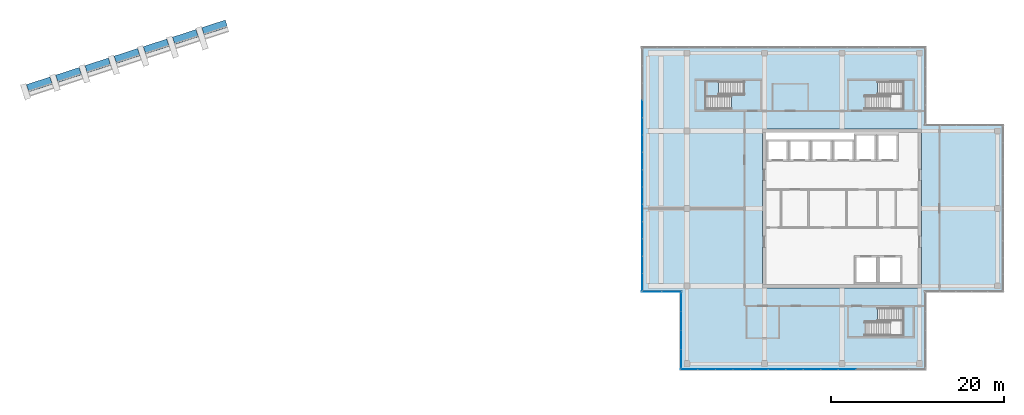
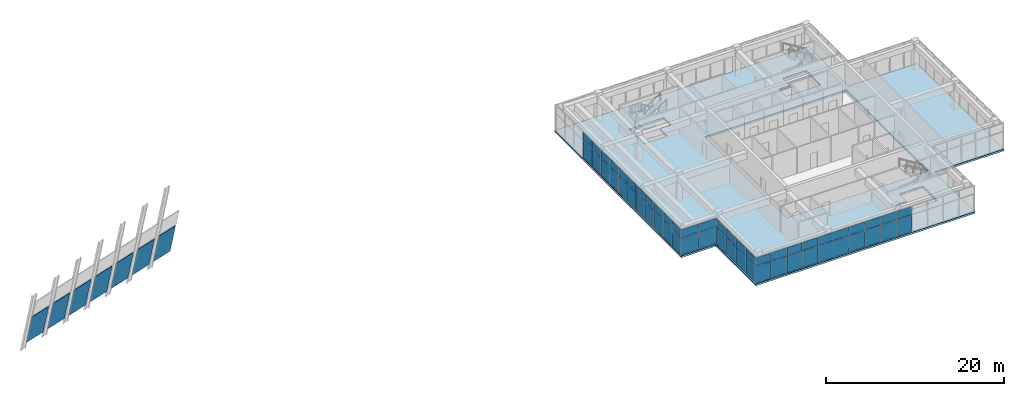
# One storey, part 26 of 32: 61 plates, 2 slabs, 5 elements without a shape of their own.
"""IFC4 building model written with IfcOpenShell, lengths in metres."""

import ifcopenshell
import ifcopenshell.guid

model = None  # the IFC model being written
_history = None  # IfcOwnerHistory: only IFC2X3 demands one
_inside = {}  # id of a spatial element -> (the spatial element, [elements in it])
_under = {}  # id of a project, library or spatial element -> (it, [spatial elements below it])
_declared = {}  # id of a project -> (the project, [libraries it declares])
_typed = {}  # id of a type object -> (the type object, [elements of that type])
_made_of = {}  # id of a material, layer set ... -> (it, [elements and type objects made of it])


def new_model(schema):
    """Start an empty IFC model of exactly this schema.

    Asked for "IFC4X3", IfcOpenShell would pick the latest addendum, in which some entities
    have other attributes; the version numbers below select the first issue.
    IFC2X3 requires an IfcOwnerHistory on every rooted entity: one is made here for all.
    """
    global model, _history
    if schema == "IFC4X3":
        model = ifcopenshell.file(schema_version=(4, 3, 0, 0))
    else:
        model = ifcopenshell.file(schema=schema)
    _inside.clear()
    _under.clear()
    _declared.clear()
    _typed.clear()
    _made_of.clear()
    _history = None
    if model.schema == "IFC2X3":
        org = make("IfcOrganization", Name="unknown")
        user = make(
            "IfcPersonAndOrganization",
            ThePerson=make("IfcPerson", FamilyName="unknown"),
            TheOrganization=org,
        )
        app = make(
            "IfcApplication",
            ApplicationDeveloper=org,
            Version="unknown",
            ApplicationFullName="unknown",
            ApplicationIdentifier="unknown",
        )
        _history = make(
            "IfcOwnerHistory",
            OwningUser=user,
            OwningApplication=app,
            ChangeAction="ADDED",
            CreationDate=0,
        )
    return model


def make(cls, **values):
    """One entity of the class cls with the attributes given. An attribute that is None is left unset."""
    return model.create_entity(
        cls, **{name: value for name, value in values.items() if value is not None}
    )


def rooted(cls, **values):
    """An entity with a GlobalId (a new one), such as an element, a storey or a relation."""
    return make(cls, GlobalId=ifcopenshell.guid.new(), OwnerHistory=_history, **values)


def si_unit(unit_type, name, prefix=None):
    """IfcSIUnit, for example si_unit("LENGTHUNIT", "METRE", prefix="MILLI")."""
    return make("IfcSIUnit", UnitType=unit_type, Prefix=prefix, Name=name)


def assignment(units):
    """IfcUnitAssignment: the units of a project."""
    return None if units is None else make("IfcUnitAssignment", Units=units)


def point(xyz):
    """IfcCartesianPoint."""
    return None if xyz is None else make("IfcCartesianPoint", Coordinates=xyz)


def direction(xyz):
    """IfcDirection."""
    return None if xyz is None else make("IfcDirection", DirectionRatios=xyz)


def frame(location, z_axis=None, x_axis=None):
    """IfcAxis2Placement3D, a coordinate frame: its origin and axes. An axis left out is left unset."""
    return make(
        "IfcAxis2Placement3D",
        Location=point(location),
        Axis=direction(z_axis),
        RefDirection=direction(x_axis),
    )


def frame_2d(location, x_axis=None):
    """IfcAxis2Placement2D, a coordinate frame in the plane: its origin and x axis."""
    return make(
        "IfcAxis2Placement2D", Location=point(location), RefDirection=direction(x_axis)
    )


def origin():
    """The frame at (0, 0, 0) with its axes left unset."""
    return frame((0.0, 0.0, 0.0))


def origin_2d():
    """The frame at (0, 0) in the plane with its x axis left unset."""
    return frame_2d((0.0, 0.0))


def place(relative_to, where):
    """IfcLocalPlacement: puts the frame where relative to a parent placement (None: the world)."""
    return make(
        "IfcLocalPlacement", PlacementRelTo=relative_to, RelativePlacement=where
    )


def context(
    kind, dimensions, precision=None, world=None, true_north=None, identifier=None
):
    """IfcGeometricRepresentationContext, for example the 3D "Model" context."""
    return make(
        "IfcGeometricRepresentationContext",
        ContextIdentifier=identifier,
        ContextType=kind,
        CoordinateSpaceDimension=dimensions,
        Precision=precision,
        WorldCoordinateSystem=world,
        TrueNorth=true_north,
    )


def subcontext(parent, identifier, kind, view, scale=None):
    """IfcGeometricRepresentationSubContext, for example "Body" below "Model"."""
    return make(
        "IfcGeometricRepresentationSubContext",
        ContextIdentifier=identifier,
        ContextType=kind,
        ParentContext=parent,
        TargetScale=scale,
        TargetView=view,
    )


def project(units=None, contexts=None):
    """IfcProject with its units and contexts."""
    return rooted(
        "IfcProject",
        Name="project",
        RepresentationContexts=contexts,
        UnitsInContext=assignment(units),
    )


def spatial(cls, under=None, at=None, **own):
    """A site, building, storey or space (cls), placed at a placement, below another one or the project."""
    s = rooted(cls, ObjectPlacement=at, **own)
    if under is not None:
        _under.setdefault(under.id(), (under, []))[1].append(s)
    return s


def polyline(points):
    """IfcPolyline through the points."""
    return make("IfcPolyline", Points=[point(p) for p in points])


def profile(cls, at=None, kind="AREA", **sizes):
    """A parametric profile (cls). Its sizes go by their IFC names, for example OverallWidth=200.0."""
    return make(cls, ProfileType=kind, Position=at, **sizes)


def rectangle(**sizes):
    """IfcRectangleProfileDef."""
    return profile("IfcRectangleProfileDef", **sizes)


def outline(outer, holes=None, kind="AREA"):
    """IfcArbitraryClosedProfileDef: a profile drawn as a closed curve; with holes, ...WithVoids."""
    if holes is None:
        return make("IfcArbitraryClosedProfileDef", ProfileType=kind, OuterCurve=outer)
    return make(
        "IfcArbitraryProfileDefWithVoids",
        ProfileType=kind,
        OuterCurve=outer,
        InnerCurves=holes,
    )


def extrude(swept, where, along, depth):
    """IfcExtrudedAreaSolid: the profile swept, set in the frame where, extruded along a direction by depth."""
    return make(
        "IfcExtrudedAreaSolid",
        SweptArea=swept,
        Position=where,
        ExtrudedDirection=direction(along),
        Depth=depth,
    )


def shape(context_of_items, identifier, shape_type, items):
    """IfcShapeRepresentation: the items that make up one representation, for example the "Body"."""
    return make(
        "IfcShapeRepresentation",
        ContextOfItems=context_of_items,
        RepresentationIdentifier=identifier,
        RepresentationType=shape_type,
        Items=items,
    )


def material(Name=None, Category=None):
    """IfcMaterial."""
    return make("IfcMaterial", Name=Name, Category=Category)


def layer(
    of_material, thickness, ventilated=None, Name=None, Category=None, Priority=None
):
    """IfcMaterialLayer: one layer of a wall or slab, of a material (None: an air gap)."""
    return make(
        "IfcMaterialLayer",
        Material=of_material,
        LayerThickness=thickness,
        IsVentilated=ventilated,
        Name=Name,
        Category=Category,
        Priority=Priority,
    )


def layer_set(layers, Name=None):
    """IfcMaterialLayerSet."""
    return make("IfcMaterialLayerSet", MaterialLayers=layers, LayerSetName=Name)


def made_of(thing, what):
    """Note that an element or type object is made of a material, layer set ...; save() writes the relation."""
    if what is not None:
        _made_of.setdefault(what.id(), (what, []))[1].append(thing)
    return thing


def type_object(cls, material=None, **own):
    """A type object (cls), such as IfcWallType, which elements share."""
    return made_of(rooted(cls, **own), material)


def element(
    cls,
    number,
    at=None,
    inside=None,
    cuts=None,
    type_object=None,
    material=None,
    context=None,
    identifier="Body",
    shape_type=None,
    held_by="IfcProductDefinitionShape",
    body=None,
    shapes=None,
    **own,
):
    """One element of the class cls, such as IfcWall. Its Tag is "e" and its number.

    at: its placement. inside: the storey or other place that contains it. cuts: it is an
    opening in that element (IfcRelVoidsElement). A single representation is given by context,
    identifier, shape_type and body (its items); several are given by shapes. held_by: the class
    of the entity that holds the representations. save() writes the other relations.
    """
    e = rooted(cls, Tag="e%d" % number, ObjectPlacement=at, **own)
    if body is not None:
        shapes = [shape(context, identifier, shape_type, body)]
    if shapes is not None:
        e.Representation = make(held_by, Representations=shapes)
    if inside is not None:
        _inside.setdefault(inside.id(), (inside, []))[1].append(e)
    if cuts is not None:
        rooted(
            "IfcRelVoidsElement", RelatingBuildingElement=cuts, RelatedOpeningElement=e
        )
    if type_object is not None:
        _typed.setdefault(type_object.id(), (type_object, []))[1].append(e)
    return made_of(e, material)


def aggregate(whole, parts):
    """IfcRelAggregates: a whole, such as a stair, and the parts it consists of."""
    return rooted("IfcRelAggregates", RelatingObject=whole, RelatedObjects=parts)


def save(model, path):
    """Write the relations noted so far, then the file.

    IfcRelAggregates (storeys below a building ...), IfcRelContainedInSpatialStructure (elements
    in a storey), IfcRelDefinesByType, IfcRelAssociatesMaterial and IfcRelDeclares: one each for
    every whole, place, type object, material and project.
    """
    for whole, parts in _under.values():
        aggregate(whole, parts)
    for where, things in _inside.values():
        rooted(
            "IfcRelContainedInSpatialStructure",
            RelatedElements=things,
            RelatingStructure=where,
        )
    for kind, things in _typed.values():
        rooted("IfcRelDefinesByType", RelatedObjects=things, RelatingType=kind)
    for what, things in _made_of.values():
        rooted("IfcRelAssociatesMaterial", RelatedObjects=things, RelatingMaterial=what)
    for by, libraries in _declared.values():
        rooted("IfcRelDeclares", RelatingContext=by, RelatedDefinitions=libraries)
    model.write(path)


model = new_model("IFC4")

# Units and contexts
model_context = context("Model", 3, precision=1e-05, world=origin(), true_north=direction((0.0, 1.0)))
body_context = subcontext(model_context, "Body", "Model", "MODEL_VIEW")
ifc_project = project(units=[si_unit("LENGTHUNIT", "METRE"), si_unit("AREAUNIT", "SQUARE_METRE"), si_unit("VOLUMEUNIT", "CUBIC_METRE"), si_unit("PLANEANGLEUNIT", "RADIAN"), si_unit("MASSUNIT", "GRAM", prefix="KILO")], contexts=[model_context])

# Site, building, storey
site_placement = place(None, origin())
site = spatial("IfcSite", under=ifc_project, at=site_placement, CompositionType="ELEMENT")
building_placement = place(site_placement, origin())
building = spatial("IfcBuilding", under=site, at=building_placement, Name="Tuart Plaza Theatre", CompositionType="ELEMENT")
storey_placement = place(building_placement, frame((0.0, 0.0, 37.5)))
storey = spatial("IfcBuildingStorey", under=building, at=storey_placement, Name="L09", CompositionType="ELEMENT", Elevation=37.5)

# Curtain wall, plates
ifc_material_1 = material(Name="Aluminium and glass", Category="aluminium")
ifc_layer_1 = layer(ifc_material_1, 0.10009765625)
ifc_layer_set_1 = layer_set([ifc_layer_1], Name="CURTAIN WALL 2000 module")
curtain_wall_type = type_object("IfcCurtainWallType", Name="CURTAIN WALL 2000 module", PredefinedType="NOTDEFINED", material=ifc_layer_set_1)
curtain_wall_1_placement = place(storey_placement, origin())
curtain_wall_1 = element("IfcCurtainWall", 1, at=curtain_wall_1_placement, inside=storey, type_object=curtain_wall_type, Name="CW88", PredefinedType="NOTDEFINED")
ifc_material_2 = material(Name="Glass", Category="glass")
ifc_layer_2 = layer(ifc_material_2, 0.028076171875)
ifc_layer_set_2 = layer_set([ifc_layer_2], Name="CURTAIN PANEL double glazed 28")
plate_type_1 = type_object("IfcPlateType", Name="CURTAIN PANEL double glazed 28", PredefinedType="CURTAIN_PANEL", material=ifc_layer_set_2)
plate_1_placement = place(storey_placement, frame((114.2802734375, 55.35009765625, 0.0498046875), z_axis=(0.0, 0.0, 1.0), x_axis=(1.0, 0.0, 0.0)))
plate_1 = element("IfcPlate", 2, at=plate_1_placement, type_object=plate_type_1, Name="CW88 panel 1.1", PredefinedType="CURTAIN_PANEL", context=body_context, shape_type="SweptSolid", body=[
    extrude(rectangle(XDim=1.960693359375, YDim=0.028076171875, at=origin_2d()), origin(), (0.0, 0.0, 1.0), 2.324951171875),
])
plate_2_placement = place(storey_placement, frame((114.2802734375, 55.35009765625, 2.425048828125), z_axis=(0.0, 0.0, 1.0), x_axis=(1.0, 0.0, 0.0)))
plate_2 = element("IfcPlate", 3, at=plate_2_placement, type_object=plate_type_1, Name="CW88 panel 1.2", PredefinedType="CURTAIN_PANEL", context=body_context, shape_type="SweptSolid", body=[
    extrude(rectangle(XDim=1.960693359375, YDim=0.028076171875, at=origin_2d()), origin(), (0.0, 0.0, 1.0), 1.10498046875),
])
plate_3_placement = place(storey_placement, frame((116.303466796875, 55.35009765625, 0.0498046875), z_axis=(0.0, 0.0, 1.0), x_axis=(1.0, 0.0, 0.0)))
plate_3 = element("IfcPlate", 4, at=plate_3_placement, type_object=plate_type_1, Name="CW88 panel 2.1", PredefinedType="CURTAIN_PANEL", context=body_context, shape_type="SweptSolid", body=[
    extrude(rectangle(XDim=1.985595703125, YDim=0.028076171875, at=origin_2d()), origin(), (0.0, 0.0, 1.0), 2.324951171875),
])
plate_4_placement = place(storey_placement, frame((116.303466796875, 55.35009765625, 2.425048828125), z_axis=(0.0, 0.0, 1.0), x_axis=(1.0, 0.0, 0.0)))
plate_4 = element("IfcPlate", 5, at=plate_4_placement, type_object=plate_type_1, Name="CW88 panel 2.2", PredefinedType="CURTAIN_PANEL", context=body_context, shape_type="SweptSolid", body=[
    extrude(rectangle(XDim=1.985595703125, YDim=0.028076171875, at=origin_2d()), origin(), (0.0, 0.0, 1.0), 1.10498046875),
])
plate_5_placement = place(storey_placement, frame((118.33935546875, 55.35009765625, 0.0498046875), z_axis=(0.0, 0.0, 1.0), x_axis=(1.0, 0.0, 0.0)))
plate_5 = element("IfcPlate", 6, at=plate_5_placement, type_object=plate_type_1, Name="CW88 panel 3.1", PredefinedType="CURTAIN_PANEL", context=body_context, shape_type="SweptSolid", body=[
    extrude(rectangle(XDim=1.985595703125, YDim=0.028076171875, at=origin_2d()), origin(), (0.0, 0.0, 1.0), 2.324951171875),
])
plate_6_placement = place(storey_placement, frame((118.33935546875, 55.35009765625, 2.425048828125), z_axis=(0.0, 0.0, 1.0), x_axis=(1.0, 0.0, 0.0)))
plate_6 = element("IfcPlate", 7, at=plate_6_placement, type_object=plate_type_1, Name="CW88 panel 3.2", PredefinedType="CURTAIN_PANEL", context=body_context, shape_type="SweptSolid", body=[
    extrude(rectangle(XDim=1.985595703125, YDim=0.028076171875, at=origin_2d()), origin(), (0.0, 0.0, 1.0), 1.10498046875),
])
plate_7_placement = place(storey_placement, frame((120.375, 55.35009765625, 0.0498046875), z_axis=(0.0, 0.0, 1.0), x_axis=(1.0, 0.0, 0.0)))
plate_7 = element("IfcPlate", 8, at=plate_7_placement, type_object=plate_type_1, Name="CW88 panel 4.1", PredefinedType="CURTAIN_PANEL", context=body_context, shape_type="SweptSolid", body=[
    extrude(rectangle(XDim=1.985595703125, YDim=0.028076171875, at=origin_2d()), origin(), (0.0, 0.0, 1.0), 2.324951171875),
])
plate_8_placement = place(storey_placement, frame((120.375, 55.35009765625, 2.425048828125), z_axis=(0.0, 0.0, 1.0), x_axis=(1.0, 0.0, 0.0)))
plate_8 = element("IfcPlate", 9, at=plate_8_placement, type_object=plate_type_1, Name="CW88 panel 4.2", PredefinedType="CURTAIN_PANEL", context=body_context, shape_type="SweptSolid", body=[
    extrude(rectangle(XDim=1.985595703125, YDim=0.028076171875, at=origin_2d()), origin(), (0.0, 0.0, 1.0), 1.10498046875),
])
plate_9_placement = place(storey_placement, frame((122.41064453125, 55.35009765625, 0.0498046875), z_axis=(0.0, 0.0, 1.0), x_axis=(1.0, 0.0, 0.0)))
plate_9 = element("IfcPlate", 10, at=plate_9_placement, type_object=plate_type_1, Name="CW88 panel 5.1", PredefinedType="CURTAIN_PANEL", context=body_context, shape_type="SweptSolid", body=[
    extrude(rectangle(XDim=1.985595703125, YDim=0.028076171875, at=origin_2d()), origin(), (0.0, 0.0, 1.0), 2.324951171875),
])
plate_10_placement = place(storey_placement, frame((122.41064453125, 55.35009765625, 2.425048828125), z_axis=(0.0, 0.0, 1.0), x_axis=(1.0, 0.0, 0.0)))
plate_10 = element("IfcPlate", 11, at=plate_10_placement, type_object=plate_type_1, Name="CW88 panel 5.2", PredefinedType="CURTAIN_PANEL", context=body_context, shape_type="SweptSolid", body=[
    extrude(rectangle(XDim=1.985595703125, YDim=0.028076171875, at=origin_2d()), origin(), (0.0, 0.0, 1.0), 1.10498046875),
])
plate_11_placement = place(storey_placement, frame((124.446533203125, 55.35009765625, 0.0498046875), z_axis=(0.0, 0.0, 1.0), x_axis=(1.0, 0.0, 0.0)))
plate_11 = element("IfcPlate", 12, at=plate_11_placement, type_object=plate_type_1, Name="CW88 panel 6.1", PredefinedType="CURTAIN_PANEL", context=body_context, shape_type="SweptSolid", body=[
    extrude(rectangle(XDim=1.985595703125, YDim=0.028076171875, at=origin_2d()), origin(), (0.0, 0.0, 1.0), 2.324951171875),
])
plate_12_placement = place(storey_placement, frame((124.446533203125, 55.35009765625, 2.425048828125), z_axis=(0.0, 0.0, 1.0), x_axis=(1.0, 0.0, 0.0)))
plate_12 = element("IfcPlate", 13, at=plate_12_placement, type_object=plate_type_1, Name="CW88 panel 6.2", PredefinedType="CURTAIN_PANEL", context=body_context, shape_type="SweptSolid", body=[
    extrude(rectangle(XDim=1.985595703125, YDim=0.028076171875, at=origin_2d()), origin(), (0.0, 0.0, 1.0), 1.10498046875),
])
plate_13_placement = place(storey_placement, frame((126.482177734375, 55.35009765625, 0.0498046875), z_axis=(0.0, 0.0, 1.0), x_axis=(1.0, 0.0, 0.0)))
plate_13 = element("IfcPlate", 14, at=plate_13_placement, type_object=plate_type_1, Name="CW88 panel 7.1", PredefinedType="CURTAIN_PANEL", context=body_context, shape_type="SweptSolid", body=[
    extrude(rectangle(XDim=1.985595703125, YDim=0.028076171875, at=origin_2d()), origin(), (0.0, 0.0, 1.0), 2.324951171875),
])
plate_14_placement = place(storey_placement, frame((126.482177734375, 55.35009765625, 2.425048828125), z_axis=(0.0, 0.0, 1.0), x_axis=(1.0, 0.0, 0.0)))
plate_14 = element("IfcPlate", 15, at=plate_14_placement, type_object=plate_type_1, Name="CW88 panel 7.2", PredefinedType="CURTAIN_PANEL", context=body_context, shape_type="SweptSolid", body=[
    extrude(rectangle(XDim=1.985595703125, YDim=0.028076171875, at=origin_2d()), origin(), (0.0, 0.0, 1.0), 1.10498046875),
])
plate_15_placement = place(storey_placement, frame((128.517822265625, 55.35009765625, 0.0498046875), z_axis=(0.0, 0.0, 1.0), x_axis=(1.0, 0.0, 0.0)))
plate_15 = element("IfcPlate", 16, at=plate_15_placement, type_object=plate_type_1, Name="CW88 panel 8.1", PredefinedType="CURTAIN_PANEL", context=body_context, shape_type="SweptSolid", body=[
    extrude(rectangle(XDim=1.985595703125, YDim=0.028076171875, at=origin_2d()), origin(), (0.0, 0.0, 1.0), 2.324951171875),
])
plate_16_placement = place(storey_placement, frame((128.517822265625, 55.35009765625, 2.425048828125), z_axis=(0.0, 0.0, 1.0), x_axis=(1.0, 0.0, 0.0)))
plate_16 = element("IfcPlate", 17, at=plate_16_placement, type_object=plate_type_1, Name="CW88 panel 8.2", PredefinedType="CURTAIN_PANEL", context=body_context, shape_type="SweptSolid", body=[
    extrude(rectangle(XDim=1.985595703125, YDim=0.028076171875, at=origin_2d()), origin(), (0.0, 0.0, 1.0), 1.10498046875),
])
plate_17_placement = place(storey_placement, frame((130.553466796875, 55.35009765625, 0.0498046875), z_axis=(0.0, 0.0, 1.0), x_axis=(1.0, 0.0, 0.0)))
plate_17 = element("IfcPlate", 18, at=plate_17_placement, type_object=plate_type_1, Name="CW88 panel 9.1", PredefinedType="CURTAIN_PANEL", context=body_context, shape_type="SweptSolid", body=[
    extrude(rectangle(XDim=1.985595703125, YDim=0.028076171875, at=origin_2d()), origin(), (0.0, 0.0, 1.0), 2.324951171875),
])
plate_18_placement = place(storey_placement, frame((130.553466796875, 55.35009765625, 2.425048828125), z_axis=(0.0, 0.0, 1.0), x_axis=(1.0, 0.0, 0.0)))
plate_18 = element("IfcPlate", 19, at=plate_18_placement, type_object=plate_type_1, Name="CW88 panel 9.2", PredefinedType="CURTAIN_PANEL", context=body_context, shape_type="SweptSolid", body=[
    extrude(rectangle(XDim=1.985595703125, YDim=0.028076171875, at=origin_2d()), origin(), (0.0, 0.0, 1.0), 1.10498046875),
])
plate_19_placement = place(storey_placement, frame((132.58935546875, 55.35009765625, 0.0498046875), z_axis=(0.0, 0.0, 1.0), x_axis=(1.0, 0.0, 0.0)))
plate_19 = element("IfcPlate", 20, at=plate_19_placement, type_object=plate_type_1, Name="CW88 panel 10.1", PredefinedType="CURTAIN_PANEL", context=body_context, shape_type="SweptSolid", body=[
    extrude(rectangle(XDim=1.985595703125, YDim=0.028076171875, at=origin_2d()), origin(), (0.0, 0.0, 1.0), 2.324951171875),
])
plate_20_placement = place(storey_placement, frame((132.58935546875, 55.35009765625, 2.425048828125), z_axis=(0.0, 0.0, 1.0), x_axis=(1.0, 0.0, 0.0)))
plate_20 = element("IfcPlate", 21, at=plate_20_placement, type_object=plate_type_1, Name="CW88 panel 10.2", PredefinedType="CURTAIN_PANEL", context=body_context, shape_type="SweptSolid", body=[
    extrude(rectangle(XDim=1.985595703125, YDim=0.028076171875, at=origin_2d()), origin(), (0.0, 0.0, 1.0), 1.10498046875),
])
aggregate(curtain_wall_1, [plate_1, plate_2, plate_3, plate_4, plate_5, plate_6, plate_7, plate_8, plate_9, plate_10, plate_11, plate_12, plate_13, plate_14, plate_15, plate_16, plate_17, plate_18, plate_19, plate_20])

curtain_wall_2_placement = place(storey_placement, origin())
curtain_wall_2 = element("IfcCurtainWall", 22, at=curtain_wall_2_placement, inside=storey, type_object=curtain_wall_type, Name="CW97", PredefinedType="NOTDEFINED")
plate_21_placement = place(storey_placement, frame((108.85009765625, 85.52490234375, 0.0498046875), z_axis=(0.0, 0.0, 1.0), x_axis=(0.0, -1.0, 0.0)))
plate_21 = element("IfcPlate", 23, at=plate_21_placement, type_object=plate_type_1, Name="CW97 panel 4.1", PredefinedType="CURTAIN_PANEL", context=body_context, shape_type="SweptSolid", body=[
    extrude(rectangle(XDim=1.95703125, YDim=0.028076171875, at=origin_2d()), origin(), (0.0, 0.0, 1.0), 2.324951171875),
])
plate_22_placement = place(storey_placement, frame((108.85009765625, 85.52490234375, 2.425048828125), z_axis=(0.0, 0.0, 1.0), x_axis=(0.0, -1.0, 0.0)))
plate_22 = element("IfcPlate", 24, at=plate_22_placement, type_object=plate_type_1, Name="CW97 panel 4.2", PredefinedType="CURTAIN_PANEL", context=body_context, shape_type="SweptSolid", body=[
    extrude(rectangle(XDim=1.95703125, YDim=0.028076171875, at=origin_2d()), origin(), (0.0, 0.0, 1.0), 1.10498046875),
])
plate_23_placement = place(storey_placement, frame((108.85009765625, 83.517822265625, 0.0498046875), z_axis=(0.0, 0.0, 1.0), x_axis=(0.0, -1.0, 0.0)))
plate_23 = element("IfcPlate", 25, at=plate_23_placement, type_object=plate_type_1, Name="CW97 panel 5.1", PredefinedType="CURTAIN_PANEL", context=body_context, shape_type="SweptSolid", body=[
    extrude(rectangle(XDim=1.95703125, YDim=0.028076171875, at=origin_2d()), origin(), (0.0, 0.0, 1.0), 2.324951171875),
])
plate_24_placement = place(storey_placement, frame((108.85009765625, 83.517822265625, 2.425048828125), z_axis=(0.0, 0.0, 1.0), x_axis=(0.0, -1.0, 0.0)))
plate_24 = element("IfcPlate", 26, at=plate_24_placement, type_object=plate_type_1, Name="CW97 panel 5.2", PredefinedType="CURTAIN_PANEL", context=body_context, shape_type="SweptSolid", body=[
    extrude(rectangle(XDim=1.95703125, YDim=0.028076171875, at=origin_2d()), origin(), (0.0, 0.0, 1.0), 1.10498046875),
])
plate_25_placement = place(storey_placement, frame((108.85009765625, 81.5107421875, 0.0498046875), z_axis=(0.0, 0.0, 1.0), x_axis=(0.0, -1.0, 0.0)))
plate_25 = element("IfcPlate", 27, at=plate_25_placement, type_object=plate_type_1, Name="CW97 panel 6.1", PredefinedType="CURTAIN_PANEL", context=body_context, shape_type="SweptSolid", body=[
    extrude(rectangle(XDim=1.95703125, YDim=0.028076171875, at=origin_2d()), origin(), (0.0, 0.0, 1.0), 2.324951171875),
])
plate_26_placement = place(storey_placement, frame((108.85009765625, 81.5107421875, 2.425048828125), z_axis=(0.0, 0.0, 1.0), x_axis=(0.0, -1.0, 0.0)))
plate_26 = element("IfcPlate", 28, at=plate_26_placement, type_object=plate_type_1, Name="CW97 panel 6.2", PredefinedType="CURTAIN_PANEL", context=body_context, shape_type="SweptSolid", body=[
    extrude(rectangle(XDim=1.95703125, YDim=0.028076171875, at=origin_2d()), origin(), (0.0, 0.0, 1.0), 1.10498046875),
])
plate_27_placement = place(storey_placement, frame((108.85009765625, 79.503662109375, 0.0498046875), z_axis=(0.0, 0.0, 1.0), x_axis=(0.0, -1.0, 0.0)))
plate_27 = element("IfcPlate", 29, at=plate_27_placement, type_object=plate_type_1, Name="CW97 panel 7.1", PredefinedType="CURTAIN_PANEL", context=body_context, shape_type="SweptSolid", body=[
    extrude(rectangle(XDim=1.95703125, YDim=0.028076171875, at=origin_2d()), origin(), (0.0, 0.0, 1.0), 2.324951171875),
])
plate_28_placement = place(storey_placement, frame((108.85009765625, 79.503662109375, 2.425048828125), z_axis=(0.0, 0.0, 1.0), x_axis=(0.0, -1.0, 0.0)))
plate_28 = element("IfcPlate", 30, at=plate_28_placement, type_object=plate_type_1, Name="CW97 panel 7.2", PredefinedType="CURTAIN_PANEL", context=body_context, shape_type="SweptSolid", body=[
    extrude(rectangle(XDim=1.95703125, YDim=0.028076171875, at=origin_2d()), origin(), (0.0, 0.0, 1.0), 1.10498046875),
])
plate_29_placement = place(storey_placement, frame((108.85009765625, 77.496337890625, 0.0498046875), z_axis=(0.0, 0.0, 1.0), x_axis=(0.0, -1.0, 0.0)))
plate_29 = element("IfcPlate", 31, at=plate_29_placement, type_object=plate_type_1, Name="CW97 panel 8.1", PredefinedType="CURTAIN_PANEL", context=body_context, shape_type="SweptSolid", body=[
    extrude(rectangle(XDim=1.95703125, YDim=0.028076171875, at=origin_2d()), origin(), (0.0, 0.0, 1.0), 2.324951171875),
])
plate_30_placement = place(storey_placement, frame((108.85009765625, 77.496337890625, 2.425048828125), z_axis=(0.0, 0.0, 1.0), x_axis=(0.0, -1.0, 0.0)))
plate_30 = element("IfcPlate", 32, at=plate_30_placement, type_object=plate_type_1, Name="CW97 panel 8.2", PredefinedType="CURTAIN_PANEL", context=body_context, shape_type="SweptSolid", body=[
    extrude(rectangle(XDim=1.95703125, YDim=0.028076171875, at=origin_2d()), origin(), (0.0, 0.0, 1.0), 1.10498046875),
])
plate_31_placement = place(storey_placement, frame((108.85009765625, 75.4892578125, 0.0498046875), z_axis=(0.0, 0.0, 1.0), x_axis=(0.0, -1.0, 0.0)))
plate_31 = element("IfcPlate", 33, at=plate_31_placement, type_object=plate_type_1, Name="CW97 panel 9.1", PredefinedType="CURTAIN_PANEL", context=body_context, shape_type="SweptSolid", body=[
    extrude(rectangle(XDim=1.95703125, YDim=0.028076171875, at=origin_2d()), origin(), (0.0, 0.0, 1.0), 2.324951171875),
])
plate_32_placement = place(storey_placement, frame((108.85009765625, 75.4892578125, 2.425048828125), z_axis=(0.0, 0.0, 1.0), x_axis=(0.0, -1.0, 0.0)))
plate_32 = element("IfcPlate", 34, at=plate_32_placement, type_object=plate_type_1, Name="CW97 panel 9.2", PredefinedType="CURTAIN_PANEL", context=body_context, shape_type="SweptSolid", body=[
    extrude(rectangle(XDim=1.95703125, YDim=0.028076171875, at=origin_2d()), origin(), (0.0, 0.0, 1.0), 1.10498046875),
])
plate_33_placement = place(storey_placement, frame((108.85009765625, 73.482177734375, 0.0498046875), z_axis=(0.0, 0.0, 1.0), x_axis=(0.0, -1.0, 0.0)))
plate_33 = element("IfcPlate", 35, at=plate_33_placement, type_object=plate_type_1, Name="CW97 panel 10.1", PredefinedType="CURTAIN_PANEL", context=body_context, shape_type="SweptSolid", body=[
    extrude(rectangle(XDim=1.95703125, YDim=0.028076171875, at=origin_2d()), origin(), (0.0, 0.0, 1.0), 2.324951171875),
])
plate_34_placement = place(storey_placement, frame((108.85009765625, 73.482177734375, 2.425048828125), z_axis=(0.0, 0.0, 1.0), x_axis=(0.0, -1.0, 0.0)))
plate_34 = element("IfcPlate", 36, at=plate_34_placement, type_object=plate_type_1, Name="CW97 panel 10.2", PredefinedType="CURTAIN_PANEL", context=body_context, shape_type="SweptSolid", body=[
    extrude(rectangle(XDim=1.95703125, YDim=0.028076171875, at=origin_2d()), origin(), (0.0, 0.0, 1.0), 1.10498046875),
])
plate_35_placement = place(storey_placement, frame((108.85009765625, 71.47509765625, 0.0498046875), z_axis=(0.0, 0.0, 1.0), x_axis=(0.0, -1.0, 0.0)))
plate_35 = element("IfcPlate", 37, at=plate_35_placement, type_object=plate_type_1, Name="CW97 panel 11.1", PredefinedType="CURTAIN_PANEL", context=body_context, shape_type="SweptSolid", body=[
    extrude(rectangle(XDim=1.95703125, YDim=0.028076171875, at=origin_2d()), origin(), (0.0, 0.0, 1.0), 2.324951171875),
])
plate_36_placement = place(storey_placement, frame((108.85009765625, 71.47509765625, 2.425048828125), z_axis=(0.0, 0.0, 1.0), x_axis=(0.0, -1.0, 0.0)))
plate_36 = element("IfcPlate", 38, at=plate_36_placement, type_object=plate_type_1, Name="CW97 panel 11.2", PredefinedType="CURTAIN_PANEL", context=body_context, shape_type="SweptSolid", body=[
    extrude(rectangle(XDim=1.95703125, YDim=0.028076171875, at=origin_2d()), origin(), (0.0, 0.0, 1.0), 1.10498046875),
])
plate_37_placement = place(storey_placement, frame((108.85009765625, 69.4677734375, 0.0498046875), z_axis=(0.0, 0.0, 1.0), x_axis=(0.0, -1.0, 0.0)))
plate_37 = element("IfcPlate", 39, at=plate_37_placement, type_object=plate_type_1, Name="CW97 panel 12.1", PredefinedType="CURTAIN_PANEL", context=body_context, shape_type="SweptSolid", body=[
    extrude(rectangle(XDim=1.95703125, YDim=0.028076171875, at=origin_2d()), origin(), (0.0, 0.0, 1.0), 2.324951171875),
])
plate_38_placement = place(storey_placement, frame((108.85009765625, 69.4677734375, 2.425048828125), z_axis=(0.0, 0.0, 1.0), x_axis=(0.0, -1.0, 0.0)))
plate_38 = element("IfcPlate", 40, at=plate_38_placement, type_object=plate_type_1, Name="CW97 panel 12.2", PredefinedType="CURTAIN_PANEL", context=body_context, shape_type="SweptSolid", body=[
    extrude(rectangle(XDim=1.95703125, YDim=0.028076171875, at=origin_2d()), origin(), (0.0, 0.0, 1.0), 1.10498046875),
])
plate_39_placement = place(storey_placement, frame((108.85009765625, 67.460693359375, 0.0498046875), z_axis=(0.0, 0.0, 1.0), x_axis=(0.0, -1.0, 0.0)))
plate_39 = element("IfcPlate", 41, at=plate_39_placement, type_object=plate_type_1, Name="CW97 panel 13.1", PredefinedType="CURTAIN_PANEL", context=body_context, shape_type="SweptSolid", body=[
    extrude(rectangle(XDim=1.95703125, YDim=0.028076171875, at=origin_2d()), origin(), (0.0, 0.0, 1.0), 2.324951171875),
])
plate_40_placement = place(storey_placement, frame((108.85009765625, 67.460693359375, 2.425048828125), z_axis=(0.0, 0.0, 1.0), x_axis=(0.0, -1.0, 0.0)))
plate_40 = element("IfcPlate", 42, at=plate_40_placement, type_object=plate_type_1, Name="CW97 panel 13.2", PredefinedType="CURTAIN_PANEL", context=body_context, shape_type="SweptSolid", body=[
    extrude(rectangle(XDim=1.95703125, YDim=0.028076171875, at=origin_2d()), origin(), (0.0, 0.0, 1.0), 1.10498046875),
])
plate_41_placement = place(storey_placement, frame((108.85009765625, 65.466064453125, 0.0498046875), z_axis=(0.0, 0.0, 1.0), x_axis=(0.0, -1.0, 0.0)))
plate_41 = element("IfcPlate", 43, at=plate_41_placement, type_object=plate_type_1, Name="CW97 panel 14.1", PredefinedType="CURTAIN_PANEL", context=body_context, shape_type="SweptSolid", body=[
    extrude(rectangle(XDim=1.93212890625, YDim=0.028076171875, at=origin_2d()), origin(), (0.0, 0.0, 1.0), 2.324951171875),
])
plate_42_placement = place(storey_placement, frame((108.85009765625, 65.466064453125, 2.425048828125), z_axis=(0.0, 0.0, 1.0), x_axis=(0.0, -1.0, 0.0)))
plate_42 = element("IfcPlate", 44, at=plate_42_placement, type_object=plate_type_1, Name="CW97 panel 14.2", PredefinedType="CURTAIN_PANEL", context=body_context, shape_type="SweptSolid", body=[
    extrude(rectangle(XDim=1.93212890625, YDim=0.028076171875, at=origin_2d()), origin(), (0.0, 0.0, 1.0), 1.10498046875),
])
aggregate(curtain_wall_2, [plate_21, plate_22, plate_23, plate_24, plate_25, plate_26, plate_27, plate_28, plate_29, plate_30, plate_31, plate_32, plate_33, plate_34, plate_35, plate_36, plate_37, plate_38, plate_39, plate_40, plate_41, plate_42])

curtain_wall_3_placement = place(storey_placement, origin())
curtain_wall_3 = element("IfcCurtainWall", 45, at=curtain_wall_3_placement, inside=storey, type_object=curtain_wall_type, Name="CW98", PredefinedType="NOTDEFINED")
plate_43_placement = place(storey_placement, frame((109.9375, 64.35009765625, 0.0498046875), z_axis=(0.0, 0.0, 1.0), x_axis=(1.0, 0.0, 0.0)))
plate_43 = element("IfcPlate", 46, at=plate_43_placement, type_object=plate_type_1, Name="CW98 panel 1.1", PredefinedType="CURTAIN_PANEL", context=body_context, shape_type="SweptSolid", body=[
    extrude(rectangle(XDim=2.27490234375, YDim=0.028076171875, at=origin_2d()), origin(), (0.0, 0.0, 1.0), 2.324951171875),
])
plate_44_placement = place(storey_placement, frame((109.9375, 64.35009765625, 2.425048828125), z_axis=(0.0, 0.0, 1.0), x_axis=(1.0, 0.0, 0.0)))
plate_44 = element("IfcPlate", 47, at=plate_44_placement, type_object=plate_type_1, Name="CW98 panel 1.2", PredefinedType="CURTAIN_PANEL", context=body_context, shape_type="SweptSolid", body=[
    extrude(rectangle(XDim=2.27490234375, YDim=0.028076171875, at=origin_2d()), origin(), (0.0, 0.0, 1.0), 1.10498046875),
])
plate_45_placement = place(storey_placement, frame((112.262451171875, 64.35009765625, 0.0498046875), z_axis=(0.0, 0.0, 1.0), x_axis=(1.0, 0.0, 0.0)))
plate_45 = element("IfcPlate", 48, at=plate_45_placement, type_object=plate_type_1, Name="CW98 panel 2.1", PredefinedType="CURTAIN_PANEL", context=body_context, shape_type="SweptSolid", body=[
    extrude(rectangle(XDim=2.27490234375, YDim=0.028076171875, at=origin_2d()), origin(), (0.0, 0.0, 1.0), 2.324951171875),
])
plate_46_placement = place(storey_placement, frame((112.262451171875, 64.35009765625, 2.425048828125), z_axis=(0.0, 0.0, 1.0), x_axis=(1.0, 0.0, 0.0)))
plate_46 = element("IfcPlate", 49, at=plate_46_placement, type_object=plate_type_1, Name="CW98 panel 2.2", PredefinedType="CURTAIN_PANEL", context=body_context, shape_type="SweptSolid", body=[
    extrude(rectangle(XDim=2.27490234375, YDim=0.028076171875, at=origin_2d()), origin(), (0.0, 0.0, 1.0), 1.10498046875),
])
aggregate(curtain_wall_3, [plate_43, plate_44, plate_45, plate_46])

curtain_wall_4_placement = place(storey_placement, origin())
curtain_wall_4 = element("IfcCurtainWall", 50, at=curtain_wall_4_placement, inside=storey, type_object=curtain_wall_type, Name="CW99", PredefinedType="NOTDEFINED")
plate_47_placement = place(storey_placement, frame((113.35009765625, 63.137451171875, 0.0498046875), z_axis=(0.0, 0.0, 1.0), x_axis=(0.0, -1.0, 0.0)))
plate_47 = element("IfcPlate", 51, at=plate_47_placement, type_object=plate_type_1, Name="CW99 panel 1.1", PredefinedType="CURTAIN_PANEL", context=body_context, shape_type="SweptSolid", body=[
    extrude(rectangle(XDim=2.125, YDim=0.028076171875, at=origin_2d()), origin(), (0.0, 0.0, 1.0), 2.324951171875),
])
plate_48_placement = place(storey_placement, frame((113.35009765625, 63.137451171875, 2.425048828125), z_axis=(0.0, 0.0, 1.0), x_axis=(0.0, -1.0, 0.0)))
plate_48 = element("IfcPlate", 52, at=plate_48_placement, type_object=plate_type_1, Name="CW99 panel 1.2", PredefinedType="CURTAIN_PANEL", context=body_context, shape_type="SweptSolid", body=[
    extrude(rectangle(XDim=2.125, YDim=0.028076171875, at=origin_2d()), origin(), (0.0, 0.0, 1.0), 1.10498046875),
])
plate_49_placement = place(storey_placement, frame((113.35009765625, 60.949951171875, 0.0498046875), z_axis=(0.0, 0.0, 1.0), x_axis=(0.0, -1.0, 0.0)))
plate_49 = element("IfcPlate", 53, at=plate_49_placement, type_object=plate_type_1, Name="CW99 panel 2.1", PredefinedType="CURTAIN_PANEL", context=body_context, shape_type="SweptSolid", body=[
    extrude(rectangle(XDim=2.14990234375, YDim=0.028076171875, at=origin_2d()), origin(), (0.0, 0.0, 1.0), 2.324951171875),
])
plate_50_placement = place(storey_placement, frame((113.35009765625, 60.949951171875, 2.425048828125), z_axis=(0.0, 0.0, 1.0), x_axis=(0.0, -1.0, 0.0)))
plate_50 = element("IfcPlate", 54, at=plate_50_placement, type_object=plate_type_1, Name="CW99 panel 2.2", PredefinedType="CURTAIN_PANEL", context=body_context, shape_type="SweptSolid", body=[
    extrude(rectangle(XDim=2.14990234375, YDim=0.028076171875, at=origin_2d()), origin(), (0.0, 0.0, 1.0), 1.10498046875),
])
plate_51_placement = place(storey_placement, frame((113.35009765625, 58.75, 0.0498046875), z_axis=(0.0, 0.0, 1.0), x_axis=(0.0, -1.0, 0.0)))
plate_51 = element("IfcPlate", 55, at=plate_51_placement, type_object=plate_type_1, Name="CW99 panel 3.1", PredefinedType="CURTAIN_PANEL", context=body_context, shape_type="SweptSolid", body=[
    extrude(rectangle(XDim=2.14990234375, YDim=0.028076171875, at=origin_2d()), origin(), (0.0, 0.0, 1.0), 2.324951171875),
])
plate_52_placement = place(storey_placement, frame((113.35009765625, 58.75, 2.425048828125), z_axis=(0.0, 0.0, 1.0), x_axis=(0.0, -1.0, 0.0)))
plate_52 = element("IfcPlate", 56, at=plate_52_placement, type_object=plate_type_1, Name="CW99 panel 3.2", PredefinedType="CURTAIN_PANEL", context=body_context, shape_type="SweptSolid", body=[
    extrude(rectangle(XDim=2.14990234375, YDim=0.028076171875, at=origin_2d()), origin(), (0.0, 0.0, 1.0), 1.10498046875),
])
plate_53_placement = place(storey_placement, frame((113.35009765625, 56.5625, 0.0498046875), z_axis=(0.0, 0.0, 1.0), x_axis=(0.0, -1.0, 0.0)))
plate_53 = element("IfcPlate", 57, at=plate_53_placement, type_object=plate_type_1, Name="CW99 panel 4.1", PredefinedType="CURTAIN_PANEL", context=body_context, shape_type="SweptSolid", body=[
    extrude(rectangle(XDim=2.125, YDim=0.028076171875, at=origin_2d()), origin(), (0.0, 0.0, 1.0), 2.324951171875),
])
plate_54_placement = place(storey_placement, frame((113.35009765625, 56.5625, 2.425048828125), z_axis=(0.0, 0.0, 1.0), x_axis=(0.0, -1.0, 0.0)))
plate_54 = element("IfcPlate", 58, at=plate_54_placement, type_object=plate_type_1, Name="CW99 panel 4.2", PredefinedType="CURTAIN_PANEL", context=body_context, shape_type="SweptSolid", body=[
    extrude(rectangle(XDim=2.125, YDim=0.028076171875, at=origin_2d()), origin(), (0.0, 0.0, 1.0), 1.10498046875),
])
aggregate(curtain_wall_4, [plate_47, plate_48, plate_49, plate_50, plate_51, plate_52, plate_53, plate_54])

# Plates
ifc_material_3 = material(Name="Steel perforated panel", Category="steel")
ifc_layer_3 = layer(ifc_material_3, 0.06005859375)
ifc_layer_set_3 = layer_set([ifc_layer_3], Name="PLATE Crown louvre panel 60 Steel perforated panel")
plate_type_2 = type_object("IfcPlateType", Name="PLATE Crown louvre panel 60 Steel perforated panel", PredefinedType="SHEET", material=ifc_layer_set_3)
plate_55_placement = place(storey_placement, frame((37.4443359375, 88.364013671875, -1.54931640625), z_axis=(-0.302273958703, 0.930275964857, 0.207887188396), x_axis=(0.951054185557, 0.309024167507, 5.570416e-06)))
element("IfcPlate", 59, at=plate_55_placement, inside=storey, type_object=plate_type_2, Name="CP9", PredefinedType="SHEET", context=body_context, shape_type="SweptSolid", body=[
    extrude(outline(polyline([(0.0, 0.0), (2.8609559102969055, 0.0), (2.861252294295813, -3.9942291729548938), (-1.1252317758516805e-05, -3.994261760035249), (0.0, 0.0)])), origin(), (0.0, 0.0, -1.0), 0.06005859375),
])
plate_56_placement = place(storey_placement, frame((40.8310546875, 89.46435546875, -1.54931640625), z_axis=(-0.302262287219, 0.930281776432, 0.207878152205), x_axis=(0.951057352023, 0.309014422148, -8.25041e-06)))
element("IfcPlate", 60, at=plate_56_placement, inside=storey, type_object=plate_type_2, Name="CP10", PredefinedType="SHEET", context=body_context, shape_type="SweptSolid", body=[
    extrude(outline(polyline([(0.0, 0.0), (2.861263545572582, -2.7755575615628914e-17), (2.8612068048515833, -3.9942617587694453), (1.8702253158665904e-05, -3.994213491789174), (0.0, 0.0)])), origin(), (0.0, 0.0, -1.0), 0.06005859375),
])
plate_57_placement = place(storey_placement, frame((44.218017578125, 90.56494140625, -1.54931640625), z_axis=(-0.302247241799, 0.930280450111, 0.207905961835), x_axis=(0.951062284761, 0.308999240298, 0.0)))
element("IfcPlate", 61, at=plate_57_placement, inside=storey, type_object=plate_type_2, Name="CP11", PredefinedType="SHEET", context=body_context, shape_type="SweptSolid", body=[
    extrude(outline(polyline([(0.0, 0.0), (2.8609559113239778, -2.7755575615628914e-17), (2.860944661060368, -3.994261760770912), (-1.1250263609929867e-05, -3.994261760770912), (0.0, 0.0)])), origin(), (0.0, 0.0, -1.0), 0.06005859375),
])
plate_58_placement = place(storey_placement, frame((47.604736328125, 91.665283203125, -1.54931640625), z_axis=(-0.302298206578, 0.930263890259, 0.207905961388), x_axis=(0.951045354881, 0.309051343565, 0.0)))
element("IfcPlate", 62, at=plate_58_placement, inside=storey, type_object=plate_type_2, Name="CP12", PredefinedType="SHEET", context=body_context, shape_type="SweptSolid", body=[
    extrude(outline(polyline([(0.0, 0.0), (2.8612635478261015, -2.7755575615628914e-17), (2.8612068025981086, -3.9942617603836763), (-5.6745227992566205e-05, -3.9942617603836763), (0.0, 0.0)])), origin(), (0.0, 0.0, -1.0), 0.06005859375),
])
plate_59_placement = place(storey_placement, frame((50.99169921875, 92.765869140625, -1.54931640625), z_axis=(-0.302247241799, 0.930280450111, 0.207905961835), x_axis=(0.951062284761, 0.308999240298, 0.0)))
element("IfcPlate", 63, at=plate_59_placement, inside=storey, type_object=plate_type_2, Name="CP13", PredefinedType="SHEET", context=body_context, shape_type="SweptSolid", body=[
    extrude(outline(polyline([(0.0, 0.0), (2.8609559113239778, -2.7755575615628914e-17), (2.860944661060368, -3.994261760770912), (-1.1250263609929867e-05, -3.994261760770912), (0.0, 0.0)])), origin(), (0.0, 0.0, -1.0), 0.06005859375),
])
plate_60_placement = place(storey_placement, frame((54.37841796875, 93.8662109375, -1.54931640625), z_axis=(-0.302298206578, 0.930263890259, 0.207905961388), x_axis=(0.951045354881, 0.309051343565, 0.0)))
element("IfcPlate", 64, at=plate_60_placement, inside=storey, type_object=plate_type_2, Name="CP14", PredefinedType="SHEET", context=body_context, shape_type="SweptSolid", body=[
    extrude(outline(polyline([(0.0, 0.0), (2.8612635478261015, -2.7755575615628914e-17), (2.8612068025981086, -3.9942617603836763), (-5.6745227992566205e-05, -3.9942617603836763), (0.0, 0.0)])), origin(), (0.0, 0.0, -1.0), 0.06005859375),
])
plate_61_placement = place(storey_placement, frame((57.765380859375, 94.966796875, -1.54931640625), z_axis=(-0.302247241799, 0.930280450111, 0.207905961835), x_axis=(0.951062284761, 0.308999240298, 0.0)))
element("IfcPlate", 65, at=plate_61_placement, inside=storey, type_object=plate_type_2, Name="CP15", PredefinedType="SHEET", context=body_context, shape_type="SweptSolid", body=[
    extrude(outline(polyline([(0.0, 0.0), (2.8609559113239778, -2.7755575615628914e-17), (2.860944661060368, -3.994261760770912), (-1.1250263609929867e-05, -3.994261760770912), (0.0, 0.0)])), origin(), (0.0, 0.0, -1.0), 0.06005859375),
])

# Slab
ifc_material_4 = material(Name="Concrete N40 (40 MPa)", Category="concrete")
ifc_layer_4 = layer(ifc_material_4, 0.25)
ifc_layer_set_4 = layer_set([ifc_layer_4], Name="SLAB Floor 250 Concrete N40 (40 MPa)")
slab_type_1 = type_object("IfcSlabType", Name="SLAB Floor 250 Concrete N40 (40 MPa)", PredefinedType="FLOOR", material=ifc_layer_set_4)
slab_1_placement = place(storey_placement, frame((0.0, 0.0, -0.25)))
element("IfcSlab", 66, at=slab_1_placement, inside=storey, type_object=slab_type_1, Name="S91", PredefinedType="FLOOR", context=body_context, shape_type="SweptSolid", body=[
    extrude(outline(polyline([(141.75, 83.75), (141.75, 92.75), (108.75, 92.75), (108.75, 64.25), (113.25, 64.25), (113.25, 55.25), (141.75, 55.25), (141.75, 64.25), (150.75, 64.25), (150.75, 83.75), (141.75, 83.75)]), holes=[polyline([(141.199951171875, 64.800048828125), (141.199951171875, 83.199951171875), (122.800048828125, 83.199951171875), (122.800048828125, 64.800048828125), (141.199951171875, 64.800048828125)]), polyline([(136.114990234375, 62.5), (136.114990234375, 60.875), (134.655029296875, 60.875), (134.655029296875, 59.25), (139.169921875, 59.25), (139.169921875, 62.5), (136.114990234375, 62.5)]), polyline([(139.169921875, 88.75), (136.114990234375, 88.75), (136.114990234375, 87.125), (134.655029296875, 87.125), (134.655029296875, 85.5), (139.169921875, 85.5), (139.169921875, 88.75)]), polyline([(116.1298828125, 88.75), (116.1298828125, 85.5), (119.18505859375, 85.5), (119.18505859375, 87.125), (120.64501953125, 87.125), (120.64501953125, 88.75), (116.1298828125, 88.75)])]), origin(), (0.0, 0.0, 1.0), 0.25),
])

# Stair, slab
ifc_material_5 = material(Name="Concrete N40 (40 MPa)", Category="concrete")
stair_type = type_object("IfcStairType", Name="STAIR half turn 1500", PredefinedType="HALF_TURN_STAIR", material=ifc_material_5)
stair_placement = place(storey_placement, origin())
stair = element("IfcStair", 67, at=stair_placement, inside=storey, type_object=stair_type, Name="SC-16", PredefinedType="HALF_TURN_STAIR")
ifc_material_6 = material(Name="Concrete N40 (40 MPa)", Category="concrete")
ifc_layer_5 = layer(ifc_material_6, 0.199951171875)
ifc_layer_set_5 = layer_set([ifc_layer_5], Name="STAIR LANDING 200")
slab_type_2 = type_object("IfcSlabType", Name="STAIR LANDING 200", PredefinedType="LANDING", material=ifc_layer_set_5)
slab_2_placement = place(storey_placement, frame((0.0, 0.0, 1.800048828125)))
slab_2 = element("IfcSlab", 68, at=slab_2_placement, type_object=slab_type_2, Name="SC-16 landing 1", PredefinedType="LANDING", context=body_context, shape_type="SweptSolid", body=[
    extrude(outline(polyline([(117.699951171875, 88.822998046875), (116.169921875, 88.822998046875), (116.169921875, 85.427001953125), (117.699951171875, 85.427001953125), (117.699951171875, 88.822998046875)])), origin(), (0.0, 0.0, 1.0), 0.199951171875),
])
aggregate(stair, [slab_2])

save(model, "model.ifc")
